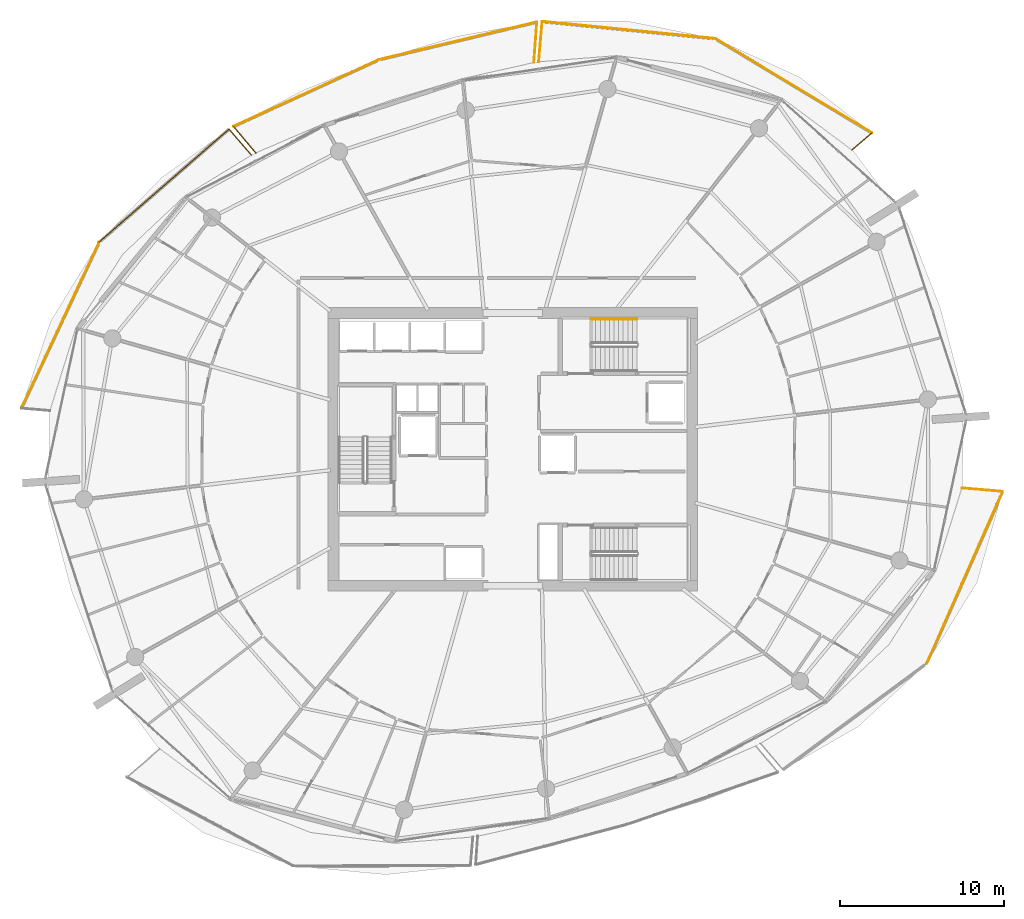
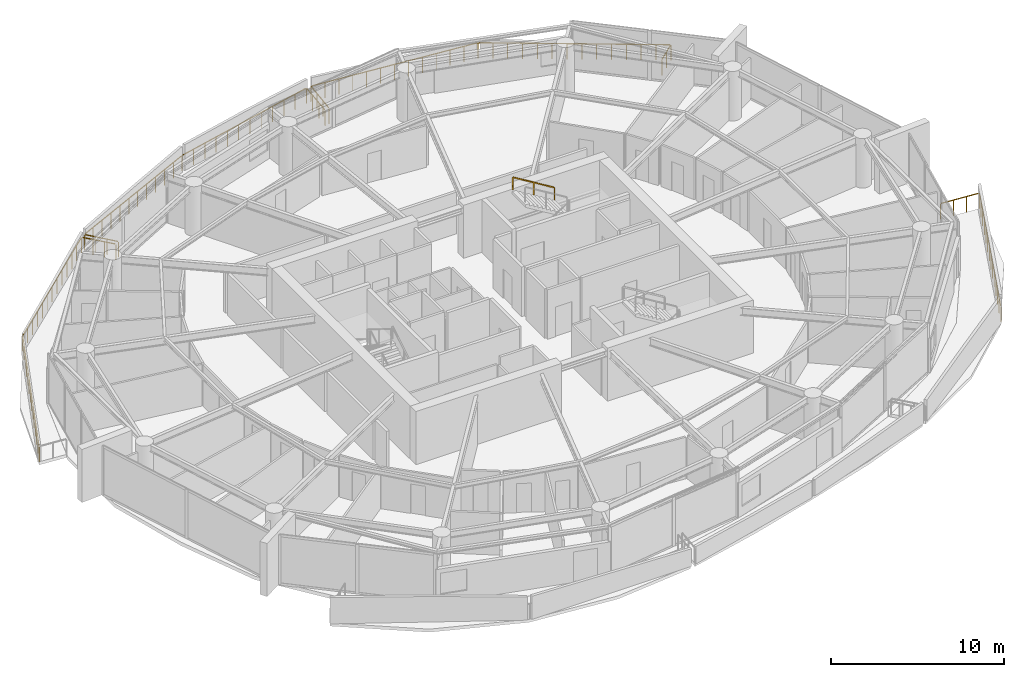
# One storey, part 20 of 20: 14 railings.
"""IFC4 building model written with IfcOpenShell, lengths in metres."""

from ifc_helpers import new_model, si_unit, direction, frame, origin, origin_2d, place, context, subcontext, project, spatial, rectangle, extrude, material, type_object, element, save


model = new_model("IFC4")

# Units and contexts
model_context = context("Model", 3, precision=1e-05, world=origin(), true_north=direction((0.0, 1.0)))
body_context = subcontext(model_context, "Body", "Model", "MODEL_VIEW")
ifc_project = project(units=[si_unit("LENGTHUNIT", "METRE"), si_unit("AREAUNIT", "SQUARE_METRE"), si_unit("VOLUMEUNIT", "CUBIC_METRE"), si_unit("PLANEANGLEUNIT", "RADIAN"), si_unit("MASSUNIT", "GRAM", prefix="KILO")], contexts=[model_context])

# Site, building, storey
site_placement = place(None, origin())
site = spatial("IfcSite", under=ifc_project, at=site_placement, CompositionType="ELEMENT")
building_placement = place(site_placement, origin())
building = spatial("IfcBuilding", under=site, at=building_placement, Name="Kazma Halo Residences", CompositionType="ELEMENT")
storey_placement = place(building_placement, frame((0.0, 0.0, 214.050048828125)))
storey = spatial("IfcBuildingStorey", under=building, at=storey_placement, Name="L54", CompositionType="ELEMENT", Elevation=214.050048828125)

# Railings
ifc_material_1 = material(Name="Aluminium AW-6063 T6 Brushed Cap Rail", Category="aluminium")
railing_type_1 = type_object("IfcRailingType", Name="RLG-BAL-CAP-1120", PredefinedType="BALUSTRADE", material=ifc_material_1)
railing_1_placement = place(storey_placement, frame((69.130126953125, 60.271240234375, 0.0)))
element("IfcRailing", 1, at=railing_1_placement, inside=storey, type_object=railing_type_1, Name="L54 NE wave balcony guard 1", PredefinedType="BALUSTRADE", context=body_context, shape_type="SweptSolid", body=[
    extrude(rectangle(XDim=0.050048828125, YDim=0.050048828125, at=origin_2d()), frame((0.0322265625, 0.02783203125, 1.09521484375), z_axis=(0.75646932185, 0.654029177559, 0.0), x_axis=(-0.654029177559, 0.75646932185, 0.0)), (0.0, 0.0, 1.0), 1.51416015625),
    extrude(rectangle(XDim=0.0400390625, YDim=0.0400390625, at=origin_2d()), origin(), (0.0, 0.0, 1.0), 1.05810546875),
    extrude(rectangle(XDim=0.0400390625, YDim=0.0400390625, at=origin_2d()), frame((0.60498046875, 0.52294921875, 0.0)), (0.0, 0.0, 1.0), 1.05810546875),
    extrude(rectangle(XDim=0.0400390625, YDim=0.0400390625, at=origin_2d()), frame((1.209716796875, 1.0458984375, 0.0)), (0.0, 0.0, 1.0), 1.05810546875),
])
railing_2_placement = place(storey_placement, frame((70.33984375, 61.317138671875, 0.0)))
element("IfcRailing", 2, at=railing_2_placement, inside=storey, type_object=railing_type_1, Name="L54 NE wave balcony guard 2", PredefinedType="BALUSTRADE", context=body_context, shape_type="SweptSolid", body=[
    extrude(rectangle(XDim=0.050048828125, YDim=0.050048828125, at=origin_2d()), frame((-0.036376953125, 0.02197265625, 1.09521484375), z_axis=(-0.856762611856, 0.515710991667, 0.0), x_axis=(-0.515710991667, -0.856762611856, 0.0)), (0.0, 0.0, 1.0), 11.077880859375),
    extrude(rectangle(XDim=0.0400390625, YDim=0.0400390625, at=origin_2d()), origin(), (0.0, 0.0, 1.0), 1.05810546875),
    extrude(rectangle(XDim=0.0400390625, YDim=0.0400390625, at=origin_2d()), frame((-0.735595703125, 0.44287109375, 0.0)), (0.0, 0.0, 1.0), 1.05810546875),
    extrude(rectangle(XDim=0.0400390625, YDim=0.0400390625, at=origin_2d()), frame((-1.471435546875, 0.8857421875, 0.0)), (0.0, 0.0, 1.0), 1.05810546875),
    extrude(rectangle(XDim=0.0400390625, YDim=0.0400390625, at=origin_2d()), frame((-2.20703125, 1.32861328125, 0.0)), (0.0, 0.0, 1.0), 1.05810546875),
    extrude(rectangle(XDim=0.0400390625, YDim=0.0400390625, at=origin_2d()), frame((-2.94287109375, 1.771240234375, 0.0)), (0.0, 0.0, 1.0), 1.05810546875),
    extrude(rectangle(XDim=0.0400390625, YDim=0.0400390625, at=origin_2d()), frame((-3.678466796875, 2.214111328125, 0.0)), (0.0, 0.0, 1.0), 1.05810546875),
    extrude(rectangle(XDim=0.0400390625, YDim=0.0400390625, at=origin_2d()), frame((-4.4140625, 2.656982421875, 0.0)), (0.0, 0.0, 1.0), 1.05810546875),
    extrude(rectangle(XDim=0.0400390625, YDim=0.0400390625, at=origin_2d()), frame((-5.14990234375, 3.099853515625, 0.0)), (0.0, 0.0, 1.0), 1.05810546875),
    extrude(rectangle(XDim=0.0400390625, YDim=0.0400390625, at=origin_2d()), frame((-5.885498046875, 3.542724609375, 0.0)), (0.0, 0.0, 1.0), 1.05810546875),
    extrude(rectangle(XDim=0.0400390625, YDim=0.0400390625, at=origin_2d()), frame((-6.62109375, 3.985595703125, 0.0)), (0.0, 0.0, 1.0), 1.05810546875),
    extrude(rectangle(XDim=0.0400390625, YDim=0.0400390625, at=origin_2d()), frame((-7.35693359375, 4.42822265625, 0.0)), (0.0, 0.0, 1.0), 1.05810546875),
    extrude(rectangle(XDim=0.0400390625, YDim=0.0400390625, at=origin_2d()), frame((-8.092529296875, 4.87109375, 0.0)), (0.0, 0.0, 1.0), 1.05810546875),
    extrude(rectangle(XDim=0.0400390625, YDim=0.0400390625, at=origin_2d()), frame((-8.828369140625, 5.31396484375, 0.0)), (0.0, 0.0, 1.0), 1.05810546875),
    extrude(rectangle(XDim=0.0400390625, YDim=0.0400390625, at=origin_2d()), frame((-9.56396484375, 5.7568359375, 0.0)), (0.0, 0.0, 1.0), 1.05810546875),
])
railing_3_placement = place(storey_placement, frame((60.77587890625, 67.073974609375, 0.0)))
element("IfcRailing", 3, at=railing_3_placement, inside=storey, type_object=railing_type_1, Name="L54 NE wave balcony guard 3", PredefinedType="BALUSTRADE", context=body_context, shape_type="SweptSolid", body=[
    extrude(rectangle(XDim=0.050048828125, YDim=0.050048828125, at=origin_2d()), frame((-0.042236328125, 0.004150390625, 1.09521484375), z_axis=(-0.995155616271, 0.098312254603, 0.0), x_axis=(-0.098312254603, -0.995155616271, 0.0)), (0.0, 0.0, 1.0), 10.526123046875),
    extrude(rectangle(XDim=0.0400390625, YDim=0.0400390625, at=origin_2d()), origin(), (0.0, 0.0, 1.0), 1.05810546875),
    extrude(rectangle(XDim=0.0400390625, YDim=0.0400390625, at=origin_2d()), frame((-0.8798828125, 0.0869140625, 0.0)), (0.0, 0.0, 1.0), 1.05810546875),
    extrude(rectangle(XDim=0.0400390625, YDim=0.0400390625, at=origin_2d()), frame((-1.760009765625, 0.173828125, 0.0)), (0.0, 0.0, 1.0), 1.05810546875),
    extrude(rectangle(XDim=0.0400390625, YDim=0.0400390625, at=origin_2d()), frame((-2.639892578125, 0.2607421875, 0.0)), (0.0, 0.0, 1.0), 1.05810546875),
    extrude(rectangle(XDim=0.0400390625, YDim=0.0400390625, at=origin_2d()), frame((-3.52001953125, 0.34765625, 0.0)), (0.0, 0.0, 1.0), 1.05810546875),
    extrude(rectangle(XDim=0.0400390625, YDim=0.0400390625, at=origin_2d()), frame((-4.39990234375, 0.4345703125, 0.0)), (0.0, 0.0, 1.0), 1.05810546875),
    extrude(rectangle(XDim=0.0400390625, YDim=0.0400390625, at=origin_2d()), frame((-5.27978515625, 0.521484375, 0.0)), (0.0, 0.0, 1.0), 1.05810546875),
    extrude(rectangle(XDim=0.0400390625, YDim=0.0400390625, at=origin_2d()), frame((-6.159912109375, 0.608642578125, 0.0)), (0.0, 0.0, 1.0), 1.05810546875),
    extrude(rectangle(XDim=0.0400390625, YDim=0.0400390625, at=origin_2d()), frame((-7.039794921875, 0.695556640625, 0.0)), (0.0, 0.0, 1.0), 1.05810546875),
    extrude(rectangle(XDim=0.0400390625, YDim=0.0400390625, at=origin_2d()), frame((-7.919921875, 0.782470703125, 0.0)), (0.0, 0.0, 1.0), 1.05810546875),
    extrude(rectangle(XDim=0.0400390625, YDim=0.0400390625, at=origin_2d()), frame((-8.7998046875, 0.869384765625, 0.0)), (0.0, 0.0, 1.0), 1.05810546875),
    extrude(rectangle(XDim=0.0400390625, YDim=0.0400390625, at=origin_2d()), frame((-9.679931640625, 0.956298828125, 0.0)), (0.0, 0.0, 1.0), 1.05810546875),
    extrude(rectangle(XDim=0.0400390625, YDim=0.0400390625, at=origin_2d()), frame((-10.559814453125, 1.043212890625, 0.0)), (0.0, 0.0, 1.0), 1.05810546875),
])
railing_4_placement = place(storey_placement, frame((50.216064453125, 68.1171875, 0.0)))
element("IfcRailing", 4, at=railing_4_placement, inside=storey, type_object=railing_type_1, Name="L54 NE wave balcony guard 4", PredefinedType="BALUSTRADE", context=body_context, shape_type="SweptSolid", body=[
    extrude(rectangle(XDim=0.050048828125, YDim=0.050048828125, at=origin_2d()), frame((-0.003662109375, -0.04248046875, 1.09521484375), z_axis=(-0.084607744457, -0.996414336297, 0.0), x_axis=(0.996414336297, -0.084607744457, 0.0)), (0.0, 0.0, 1.0), 2.385009765625),
    extrude(rectangle(XDim=0.0400390625, YDim=0.0400390625, at=origin_2d()), origin(), (0.0, 0.0, 1.0), 1.05810546875),
    extrude(rectangle(XDim=0.0400390625, YDim=0.0400390625, at=origin_2d()), frame((-0.069580078125, -0.8203125, 0.0)), (0.0, 0.0, 1.0), 1.05810546875),
    extrude(rectangle(XDim=0.0400390625, YDim=0.0400390625, at=origin_2d()), frame((-0.139404296875, -1.640869140625, 0.0)), (0.0, 0.0, 1.0), 1.05810546875),
    extrude(rectangle(XDim=0.0400390625, YDim=0.0400390625, at=origin_2d()), frame((-0.208984375, -2.461181640625, 0.0)), (0.0, 0.0, 1.0), 1.05810546875),
])
railing_5_placement = place(storey_placement, frame((49.713134765625, 65.612060546875, 0.0)))
element("IfcRailing", 5, at=railing_5_placement, inside=storey, type_object=railing_type_1, Name="L54 NNW wave balcony guard 1", PredefinedType="BALUSTRADE", context=body_context, shape_type="SweptSolid", body=[
    extrude(rectangle(XDim=0.050048828125, YDim=0.050048828125, at=origin_2d()), frame((0.003173828125, 0.04248046875, 1.09521484375), z_axis=(0.072387851321, 0.997376558267, 0.0), x_axis=(-0.997376558267, 0.072387851321, 0.0)), (0.0, 0.0, 1.0), 2.393798828125),
    extrude(rectangle(XDim=0.0400390625, YDim=0.0400390625, at=origin_2d()), origin(), (0.0, 0.0, 1.0), 1.05810546875),
    extrude(rectangle(XDim=0.0400390625, YDim=0.0400390625, at=origin_2d()), frame((0.059814453125, 0.82421875, 0.0)), (0.0, 0.0, 1.0), 1.05810546875),
    extrude(rectangle(XDim=0.0400390625, YDim=0.0400390625, at=origin_2d()), frame((0.11962890625, 1.648193359375, 0.0)), (0.0, 0.0, 1.0), 1.05810546875),
    extrude(rectangle(XDim=0.0400390625, YDim=0.0400390625, at=origin_2d()), frame((0.179443359375, 2.472412109375, 0.0)), (0.0, 0.0, 1.0), 1.05810546875),
])
railing_6_placement = place(storey_placement, frame((49.892578125, 68.08447265625, 0.0)))
element("IfcRailing", 6, at=railing_6_placement, inside=storey, type_object=railing_type_1, Name="L54 NNW wave balcony guard 2", PredefinedType="BALUSTRADE", context=body_context, shape_type="SweptSolid", body=[
    extrude(rectangle(XDim=0.050048828125, YDim=0.050048828125, at=origin_2d()), frame((-0.04150390625, -0.009765625, 1.09521484375), z_axis=(-0.972746600398, -0.231870764468, 0.0), x_axis=(0.231870764468, -0.972746600398, 0.0)), (0.0, 0.0, 1.0), 9.80712890625),
    extrude(rectangle(XDim=0.0400390625, YDim=0.0400390625, at=origin_2d()), origin(), (0.0, 0.0, 1.0), 1.05810546875),
    extrude(rectangle(XDim=0.0400390625, YDim=0.0400390625, at=origin_2d()), frame((-0.874755859375, -0.20849609375, 0.0)), (0.0, 0.0, 1.0), 1.05810546875),
    extrude(rectangle(XDim=0.0400390625, YDim=0.0400390625, at=origin_2d()), frame((-1.74951171875, -0.4169921875, 0.0)), (0.0, 0.0, 1.0), 1.05810546875),
    extrude(rectangle(XDim=0.0400390625, YDim=0.0400390625, at=origin_2d()), frame((-2.624267578125, -0.62548828125, 0.0)), (0.0, 0.0, 1.0), 1.05810546875),
    extrude(rectangle(XDim=0.0400390625, YDim=0.0400390625, at=origin_2d()), frame((-3.4990234375, -0.833984375, 0.0)), (0.0, 0.0, 1.0), 1.05810546875),
    extrude(rectangle(XDim=0.0400390625, YDim=0.0400390625, at=origin_2d()), frame((-4.373779296875, -1.04248046875, 0.0)), (0.0, 0.0, 1.0), 1.05810546875),
    extrude(rectangle(XDim=0.0400390625, YDim=0.0400390625, at=origin_2d()), frame((-5.248779296875, -1.251220703125, 0.0)), (0.0, 0.0, 1.0), 1.05810546875),
    extrude(rectangle(XDim=0.0400390625, YDim=0.0400390625, at=origin_2d()), frame((-6.12353515625, -1.459716796875, 0.0)), (0.0, 0.0, 1.0), 1.05810546875),
    extrude(rectangle(XDim=0.0400390625, YDim=0.0400390625, at=origin_2d()), frame((-6.998291015625, -1.668212890625, 0.0)), (0.0, 0.0, 1.0), 1.05810546875),
    extrude(rectangle(XDim=0.0400390625, YDim=0.0400390625, at=origin_2d()), frame((-7.873046875, -1.876708984375, 0.0)), (0.0, 0.0, 1.0), 1.05810546875),
    extrude(rectangle(XDim=0.0400390625, YDim=0.0400390625, at=origin_2d()), frame((-8.747802734375, -2.085205078125, 0.0)), (0.0, 0.0, 1.0), 1.05810546875),
    extrude(rectangle(XDim=0.0400390625, YDim=0.0400390625, at=origin_2d()), frame((-9.62255859375, -2.293701171875, 0.0)), (0.0, 0.0, 1.0), 1.05810546875),
])
railing_7_placement = place(storey_placement, frame((40.27001953125, 65.790771484375, 0.0)))
element("IfcRailing", 7, at=railing_7_placement, inside=storey, type_object=railing_type_1, Name="L54 NNW wave balcony guard 3", PredefinedType="BALUSTRADE", context=body_context, shape_type="SweptSolid", body=[
    extrude(rectangle(XDim=0.050048828125, YDim=0.050048828125, at=origin_2d()), frame((-0.03857421875, -0.017822265625, 1.09521484375), z_axis=(-0.909021519083, -0.416749178576, 0.0), x_axis=(0.416749178576, -0.909021519083, 0.0)), (0.0, 0.0, 1.0), 9.703369140625),
    extrude(rectangle(XDim=0.0400390625, YDim=0.0400390625, at=origin_2d()), origin(), (0.0, 0.0, 1.0), 1.05810546875),
    extrude(rectangle(XDim=0.0400390625, YDim=0.0400390625, at=origin_2d()), frame((-0.808837890625, -0.370849609375, 0.0)), (0.0, 0.0, 1.0), 1.05810546875),
    extrude(rectangle(XDim=0.0400390625, YDim=0.0400390625, at=origin_2d()), frame((-1.617919921875, -0.74169921875, 0.0)), (0.0, 0.0, 1.0), 1.05810546875),
    extrude(rectangle(XDim=0.0400390625, YDim=0.0400390625, at=origin_2d()), frame((-2.4267578125, -1.112548828125, 0.0)), (0.0, 0.0, 1.0), 1.05810546875),
    extrude(rectangle(XDim=0.0400390625, YDim=0.0400390625, at=origin_2d()), frame((-3.235595703125, -1.4833984375, 0.0)), (0.0, 0.0, 1.0), 1.05810546875),
    extrude(rectangle(XDim=0.0400390625, YDim=0.0400390625, at=origin_2d()), frame((-4.04443359375, -1.854248046875, 0.0)), (0.0, 0.0, 1.0), 1.05810546875),
    extrude(rectangle(XDim=0.0400390625, YDim=0.0400390625, at=origin_2d()), frame((-4.853515625, -2.22509765625, 0.0)), (0.0, 0.0, 1.0), 1.05810546875),
    extrude(rectangle(XDim=0.0400390625, YDim=0.0400390625, at=origin_2d()), frame((-5.662353515625, -2.595947265625, 0.0)), (0.0, 0.0, 1.0), 1.05810546875),
    extrude(rectangle(XDim=0.0400390625, YDim=0.0400390625, at=origin_2d()), frame((-6.47119140625, -2.966796875, 0.0)), (0.0, 0.0, 1.0), 1.05810546875),
    extrude(rectangle(XDim=0.0400390625, YDim=0.0400390625, at=origin_2d()), frame((-7.280029296875, -3.337646484375, 0.0)), (0.0, 0.0, 1.0), 1.05810546875),
    extrude(rectangle(XDim=0.0400390625, YDim=0.0400390625, at=origin_2d()), frame((-8.089111328125, -3.70849609375, 0.0)), (0.0, 0.0, 1.0), 1.05810546875),
    extrude(rectangle(XDim=0.0400390625, YDim=0.0400390625, at=origin_2d()), frame((-8.89794921875, -4.079345703125, 0.0)), (0.0, 0.0, 1.0), 1.05810546875),
])
railing_8_placement = place(storey_placement, frame((31.3720703125, 61.71142578125, 0.0)))
element("IfcRailing", 8, at=railing_8_placement, inside=storey, type_object=railing_type_1, Name="L54 NNW wave balcony guard 4", PredefinedType="BALUSTRADE", context=body_context, shape_type="SweptSolid", body=[
    extrude(rectangle(XDim=0.050048828125, YDim=0.050048828125, at=origin_2d()), frame((0.02734375, -0.032470703125, 1.09521484375), z_axis=(0.644750769237, -0.764392860752, 0.0), x_axis=(0.764392860752, 0.644750769237, 0.0)), (0.0, 0.0, 1.0), 2.029052734375),
    extrude(rectangle(XDim=0.0400390625, YDim=0.0400390625, at=origin_2d()), origin(), (0.0, 0.0, 1.0), 1.05810546875),
    extrude(rectangle(XDim=0.0400390625, YDim=0.0400390625, at=origin_2d()), frame((0.454345703125, -0.53857421875, 0.0)), (0.0, 0.0, 1.0), 1.05810546875),
    extrude(rectangle(XDim=0.0400390625, YDim=0.0400390625, at=origin_2d()), frame((0.90869140625, -1.077392578125, 0.0)), (0.0, 0.0, 1.0), 1.05810546875),
    extrude(rectangle(XDim=0.0400390625, YDim=0.0400390625, at=origin_2d()), frame((1.363037109375, -1.615966796875, 0.0)), (0.0, 0.0, 1.0), 1.05810546875),
])
railing_9_placement = place(storey_placement, frame((32.471435546875, 59.958251953125, 0.0)))
element("IfcRailing", 9, at=railing_9_placement, inside=storey, type_object=railing_type_1, Name="L54 NW wave balcony guard 1", PredefinedType="BALUSTRADE", context=body_context, shape_type="SweptSolid", body=[
    extrude(rectangle(XDim=0.050048828125, YDim=0.050048828125, at=origin_2d()), frame((-0.02783203125, 0.0322265625, 1.09521484375), z_axis=(-0.654089003035, 0.756417593733, 0.0), x_axis=(-0.756417593733, -0.654089003035, 0.0)), (0.0, 0.0, 1.0), 2.014404296875),
    extrude(rectangle(XDim=0.0400390625, YDim=0.0400390625, at=origin_2d()), origin(), (0.0, 0.0, 1.0), 1.05810546875),
    extrude(rectangle(XDim=0.0400390625, YDim=0.0400390625, at=origin_2d()), frame((-0.457763671875, 0.529296875, 0.0)), (0.0, 0.0, 1.0), 1.05810546875),
    extrude(rectangle(XDim=0.0400390625, YDim=0.0400390625, at=origin_2d()), frame((-0.91552734375, 1.058837890625, 0.0)), (0.0, 0.0, 1.0), 1.05810546875),
    extrude(rectangle(XDim=0.0400390625, YDim=0.0400390625, at=origin_2d()), frame((-1.373291015625, 1.588134765625, 0.0)), (0.0, 0.0, 1.0), 1.05810546875),
])
railing_10_placement = place(storey_placement, frame((31.09814453125, 61.54638671875, 0.0)))
element("IfcRailing", 10, at=railing_10_placement, inside=storey, type_object=railing_type_1, Name="L54 NW wave balcony guard 2", PredefinedType="BALUSTRADE", context=body_context, shape_type="SweptSolid", body=[
    extrude(rectangle(XDim=0.050048828125, YDim=0.050048828125, at=origin_2d()), frame((-0.031982421875, -0.02783203125, 1.09521484375), z_axis=(-0.754132466244, -0.65672233353, 0.0), x_axis=(0.65672233353, -0.754132466244, 0.0)), (0.0, 0.0, 1.0), 10.4189453125),
    extrude(rectangle(XDim=0.0400390625, YDim=0.0400390625, at=origin_2d()), origin(), (0.0, 0.0, 1.0), 1.05810546875),
    extrude(rectangle(XDim=0.0400390625, YDim=0.0400390625, at=origin_2d()), frame((-0.66015625, -0.574951171875, 0.0)), (0.0, 0.0, 1.0), 1.05810546875),
    extrude(rectangle(XDim=0.0400390625, YDim=0.0400390625, at=origin_2d()), frame((-1.3203125, -1.149658203125, 0.0)), (0.0, 0.0, 1.0), 1.05810546875),
    extrude(rectangle(XDim=0.0400390625, YDim=0.0400390625, at=origin_2d()), frame((-1.98046875, -1.724609375, 0.0)), (0.0, 0.0, 1.0), 1.05810546875),
    extrude(rectangle(XDim=0.0400390625, YDim=0.0400390625, at=origin_2d()), frame((-2.640380859375, -2.29931640625, 0.0)), (0.0, 0.0, 1.0), 1.05810546875),
    extrude(rectangle(XDim=0.0400390625, YDim=0.0400390625, at=origin_2d()), frame((-3.300537109375, -2.874267578125, 0.0)), (0.0, 0.0, 1.0), 1.05810546875),
    extrude(rectangle(XDim=0.0400390625, YDim=0.0400390625, at=origin_2d()), frame((-3.960693359375, -3.44921875, 0.0)), (0.0, 0.0, 1.0), 1.05810546875),
    extrude(rectangle(XDim=0.0400390625, YDim=0.0400390625, at=origin_2d()), frame((-4.620849609375, -4.02392578125, 0.0)), (0.0, 0.0, 1.0), 1.05810546875),
    extrude(rectangle(XDim=0.0400390625, YDim=0.0400390625, at=origin_2d()), frame((-5.281005859375, -4.598876953125, 0.0)), (0.0, 0.0, 1.0), 1.05810546875),
    extrude(rectangle(XDim=0.0400390625, YDim=0.0400390625, at=origin_2d()), frame((-5.94091796875, -5.173583984375, 0.0)), (0.0, 0.0, 1.0), 1.05810546875),
    extrude(rectangle(XDim=0.0400390625, YDim=0.0400390625, at=origin_2d()), frame((-6.60107421875, -5.74853515625, 0.0)), (0.0, 0.0, 1.0), 1.05810546875),
    extrude(rectangle(XDim=0.0400390625, YDim=0.0400390625, at=origin_2d()), frame((-7.26123046875, -6.3232421875, 0.0)), (0.0, 0.0, 1.0), 1.05810546875),
    extrude(rectangle(XDim=0.0400390625, YDim=0.0400390625, at=origin_2d()), frame((-7.92138671875, -6.898193359375, 0.0)), (0.0, 0.0, 1.0), 1.05810546875),
])
railing_11_placement = place(storey_placement, frame((23.1767578125, 54.648193359375, 0.0)))
element("IfcRailing", 11, at=railing_11_placement, inside=storey, type_object=railing_type_1, Name="L54 NW wave balcony guard 3", PredefinedType="BALUSTRADE", context=body_context, shape_type="SweptSolid", body=[
    extrude(rectangle(XDim=0.050048828125, YDim=0.050048828125, at=origin_2d()), frame((-0.01806640625, -0.03857421875, 1.09521484375), z_axis=(-0.424188601935, -0.90557386777, 0.0), x_axis=(0.90557386777, -0.424188601935, 0.0)), (0.0, 0.0, 1.0), 11.111083984375),
    extrude(rectangle(XDim=0.0400390625, YDim=0.0400390625, at=origin_2d()), origin(), (0.0, 0.0, 1.0), 1.05810546875),
    extrude(rectangle(XDim=0.0400390625, YDim=0.0400390625, at=origin_2d()), frame((-0.365234375, -0.780029296875, 0.0)), (0.0, 0.0, 1.0), 1.05810546875),
    extrude(rectangle(XDim=0.0400390625, YDim=0.0400390625, at=origin_2d()), frame((-0.730712890625, -1.559814453125, 0.0)), (0.0, 0.0, 1.0), 1.05810546875),
    extrude(rectangle(XDim=0.0400390625, YDim=0.0400390625, at=origin_2d()), frame((-1.095947265625, -2.33984375, 0.0)), (0.0, 0.0, 1.0), 1.05810546875),
    extrude(rectangle(XDim=0.0400390625, YDim=0.0400390625, at=origin_2d()), frame((-1.46142578125, -3.11962890625, 0.0)), (0.0, 0.0, 1.0), 1.05810546875),
    extrude(rectangle(XDim=0.0400390625, YDim=0.0400390625, at=origin_2d()), frame((-1.82666015625, -3.899658203125, 0.0)), (0.0, 0.0, 1.0), 1.05810546875),
    extrude(rectangle(XDim=0.0400390625, YDim=0.0400390625, at=origin_2d()), frame((-2.19189453125, -4.679443359375, 0.0)), (0.0, 0.0, 1.0), 1.05810546875),
    extrude(rectangle(XDim=0.0400390625, YDim=0.0400390625, at=origin_2d()), frame((-2.557373046875, -5.45947265625, 0.0)), (0.0, 0.0, 1.0), 1.05810546875),
    extrude(rectangle(XDim=0.0400390625, YDim=0.0400390625, at=origin_2d()), frame((-2.922607421875, -6.2392578125, 0.0)), (0.0, 0.0, 1.0), 1.05810546875),
    extrude(rectangle(XDim=0.0400390625, YDim=0.0400390625, at=origin_2d()), frame((-3.287841796875, -7.019287109375, 0.0)), (0.0, 0.0, 1.0), 1.05810546875),
    extrude(rectangle(XDim=0.0400390625, YDim=0.0400390625, at=origin_2d()), frame((-3.6533203125, -7.799072265625, 0.0)), (0.0, 0.0, 1.0), 1.05810546875),
    extrude(rectangle(XDim=0.0400390625, YDim=0.0400390625, at=origin_2d()), frame((-4.0185546875, -8.5791015625, 0.0)), (0.0, 0.0, 1.0), 1.05810546875),
    extrude(rectangle(XDim=0.0400390625, YDim=0.0400390625, at=origin_2d()), frame((-4.384033203125, -9.35888671875, 0.0)), (0.0, 0.0, 1.0), 1.05810546875),
    extrude(rectangle(XDim=0.0400390625, YDim=0.0400390625, at=origin_2d()), frame((-4.749267578125, -10.138916015625, 0.0)), (0.0, 0.0, 1.0), 1.05810546875),
])
railing_12_placement = place(storey_placement, frame((73.679443359375, 28.915771484375, 0.0)))
element("IfcRailing", 12, at=railing_12_placement, inside=storey, type_object=railing_type_1, Name="L54 SE wave balcony guard 3", PredefinedType="BALUSTRADE", context=body_context, shape_type="SweptSolid", body=[
    extrude(rectangle(XDim=0.050048828125, YDim=0.050048828125, at=origin_2d()), frame((0.01708984375, 0.038818359375, 1.09521484375), z_axis=(0.403759476519, 0.914865173193, 0.0), x_axis=(-0.914865173193, 0.403759476519, 0.0)), (0.0, 0.0, 1.0), 11.40478515625),
    extrude(rectangle(XDim=0.0400390625, YDim=0.0400390625, at=origin_2d()), origin(), (0.0, 0.0, 1.0), 1.05810546875),
    extrude(rectangle(XDim=0.0400390625, YDim=0.0400390625, at=origin_2d()), frame((0.35693359375, 0.80859375, 0.0)), (0.0, 0.0, 1.0), 1.05810546875),
    extrude(rectangle(XDim=0.0400390625, YDim=0.0400390625, at=origin_2d()), frame((0.713623046875, 1.6171875, 0.0)), (0.0, 0.0, 1.0), 1.05810546875),
    extrude(rectangle(XDim=0.0400390625, YDim=0.0400390625, at=origin_2d()), frame((1.070556640625, 2.42578125, 0.0)), (0.0, 0.0, 1.0), 1.05810546875),
    extrude(rectangle(XDim=0.0400390625, YDim=0.0400390625, at=origin_2d()), frame((1.427490234375, 3.234375, 0.0)), (0.0, 0.0, 1.0), 1.05810546875),
    extrude(rectangle(XDim=0.0400390625, YDim=0.0400390625, at=origin_2d()), frame((1.7841796875, 4.04296875, 0.0)), (0.0, 0.0, 1.0), 1.05810546875),
    extrude(rectangle(XDim=0.0400390625, YDim=0.0400390625, at=origin_2d()), frame((2.14111328125, 4.8515625, 0.0)), (0.0, 0.0, 1.0), 1.05810546875),
    extrude(rectangle(XDim=0.0400390625, YDim=0.0400390625, at=origin_2d()), frame((2.498046875, 5.66015625, 0.0)), (0.0, 0.0, 1.0), 1.05810546875),
    extrude(rectangle(XDim=0.0400390625, YDim=0.0400390625, at=origin_2d()), frame((2.85498046875, 6.46875, 0.0)), (0.0, 0.0, 1.0), 1.05810546875),
    extrude(rectangle(XDim=0.0400390625, YDim=0.0400390625, at=origin_2d()), frame((3.211669921875, 7.27734375, 0.0)), (0.0, 0.0, 1.0), 1.05810546875),
    extrude(rectangle(XDim=0.0400390625, YDim=0.0400390625, at=origin_2d()), frame((3.568603515625, 8.0859375, 0.0)), (0.0, 0.0, 1.0), 1.05810546875),
    extrude(rectangle(XDim=0.0400390625, YDim=0.0400390625, at=origin_2d()), frame((3.925537109375, 8.89453125, 0.0)), (0.0, 0.0, 1.0), 1.05810546875),
    extrude(rectangle(XDim=0.0400390625, YDim=0.0400390625, at=origin_2d()), frame((4.2822265625, 9.703125, 0.0)), (0.0, 0.0, 1.0), 1.05810546875),
    extrude(rectangle(XDim=0.0400390625, YDim=0.0400390625, at=origin_2d()), frame((4.63916015625, 10.51171875, 0.0)), (0.0, 0.0, 1.0), 1.05810546875),
])
railing_13_placement = place(storey_placement, frame((78.318603515625, 39.427490234375, 0.0)))
element("IfcRailing", 13, at=railing_13_placement, inside=storey, type_object=railing_type_1, Name="L54 SE wave balcony guard 4", PredefinedType="BALUSTRADE", context=body_context, shape_type="SweptSolid", body=[
    extrude(rectangle(XDim=0.050048828125, YDim=0.050048828125, at=origin_2d()), frame((-0.04248046875, 0.003662109375, 1.09521484375), z_axis=(-0.996423136174, 0.084504045452, 0.0), x_axis=(-0.084504045452, -0.996423136174, 0.0)), (0.0, 0.0, 1.0), 2.408203125),
    extrude(rectangle(XDim=0.0400390625, YDim=0.0400390625, at=origin_2d()), origin(), (0.0, 0.0, 1.0), 1.05810546875),
    extrude(rectangle(XDim=0.0400390625, YDim=0.0400390625, at=origin_2d()), frame((-0.828125, 0.0703125, 0.0)), (0.0, 0.0, 1.0), 1.05810546875),
    extrude(rectangle(XDim=0.0400390625, YDim=0.0400390625, at=origin_2d()), frame((-1.65625, 0.140380859375, 0.0)), (0.0, 0.0, 1.0), 1.05810546875),
    extrude(rectangle(XDim=0.0400390625, YDim=0.0400390625, at=origin_2d()), frame((-2.484375, 0.210693359375, 0.0)), (0.0, 0.0, 1.0), 1.05810546875),
])
ifc_material_2 = material(Name="Brushed Stainless Steel", Category="steel")
railing_type_2 = type_object("IfcRailingType", Name="RLG-STAIR-HND-900", PredefinedType="HANDRAIL", material=ifc_material_2)
railing_14_placement = place(storey_placement, frame((56.0, 49.949951171875, 2.04541015625)))
element("IfcRailing", 14, at=railing_14_placement, inside=storey, type_object=railing_type_2, Name="L54 ST-02 stair handrail 2", PredefinedType="HANDRAIL", context=body_context, shape_type="SweptSolid", body=[
    extrude(rectangle(XDim=0.050048828125, YDim=0.050048828125, at=origin_2d()), frame((-0.036376953125, 0.0, 0.89697265625), z_axis=(-0.854169791009, 0.0, 0.51999420009), x_axis=(0.0, -1.0, 0.0)), (0.0, 0.0, 1.0), 3.193115234375),
    extrude(rectangle(XDim=0.0400390625, YDim=0.0400390625, at=origin_2d()), origin(), (0.0, 0.0, 1.0), 0.837890625),
    extrude(rectangle(XDim=0.0400390625, YDim=0.0400390625, at=origin_2d()), frame((-1.39990234375, 0.0, 0.852294921875)), (0.0, 0.0, 1.0), 0.837890625),
    extrude(rectangle(XDim=0.0400390625, YDim=0.0400390625, at=origin_2d()), frame((-2.800048828125, 0.0, 1.70458984375)), (0.0, 0.0, 1.0), 0.837890625),
])

save(model, "model.ifc")
